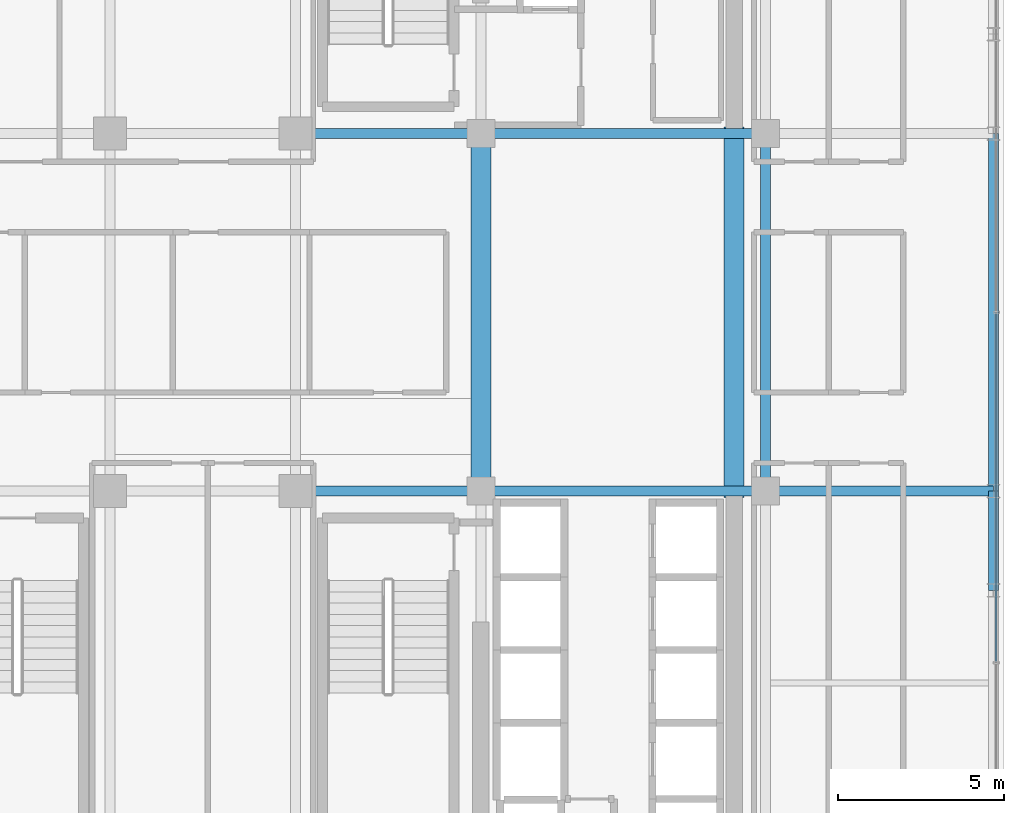
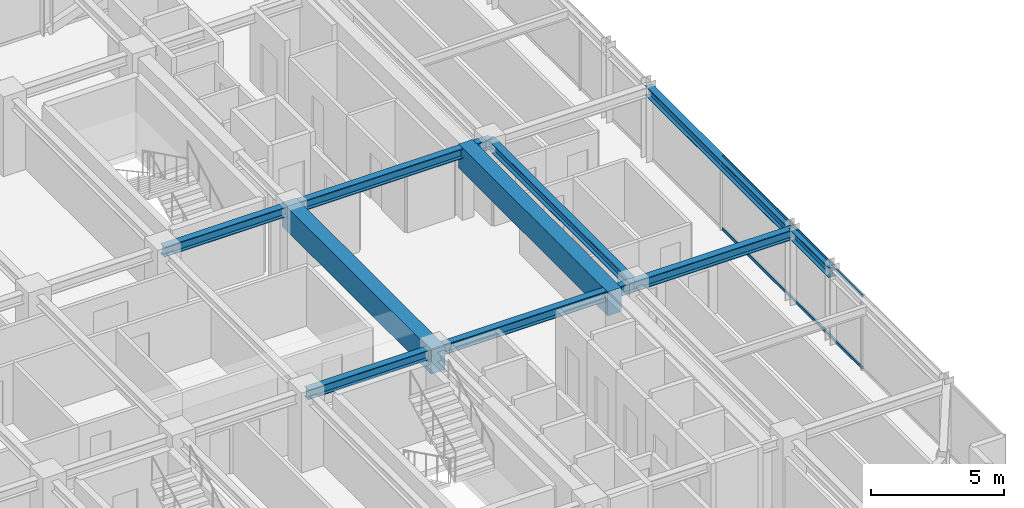
# One storey, part 16 of 36: 10 beams, 2 members, 1 element without a shape of its own.
"""IFC4 building model written with IfcOpenShell, lengths in metres."""

from ifc_helpers import new_model, si_unit, direction, frame, origin, origin_2d, place, context, subcontext, project, spatial, rectangle, hollow_rectangle, i_section, extrude, source, transform, mapped, material, material_profile, profile_set, type_object, element, aggregate, save


model = new_model("IFC4")

# Units and contexts
model_context = context("Model", 3, precision=1e-05, world=origin(), true_north=direction((0.0, 1.0)))
body_context = subcontext(model_context, "Body", "Model", "MODEL_VIEW")
ifc_project = project(units=[si_unit("LENGTHUNIT", "METRE"), si_unit("AREAUNIT", "SQUARE_METRE"), si_unit("VOLUMEUNIT", "CUBIC_METRE"), si_unit("PLANEANGLEUNIT", "RADIAN"), si_unit("MASSUNIT", "GRAM", prefix="KILO")], contexts=[model_context])

# Site, building, storey
site_placement = place(None, origin())
site = spatial("IfcSite", under=ifc_project, at=site_placement, CompositionType="ELEMENT")
building_placement = place(site_placement, origin())
building = spatial("IfcBuilding", under=site, at=building_placement, Name="Nahalor Promenade Grand Hotel", CompositionType="ELEMENT")
storey_placement = place(building_placement, frame((0.0, 0.0, 241.89990234375)))
storey = spatial("IfcBuildingStorey", under=building, at=storey_placement, Name="L62", CompositionType="ELEMENT", Elevation=241.89990234375)

# Beams
ifc_material_1 = material(Name="Concrete B-60 (C50/60)", Category="concrete")
ifc_material_profile_1 = material_profile(ifc_material_1, rectangle(XDim=0.6, YDim=1.1, at=origin_2d()), Name="RC 600x1100")
ifc_profile_set_1 = profile_set([ifc_material_profile_1], Name="Concrete B-60 (C50/60)")
beam_type_1 = type_object("IfcBeamType", Name="Beam-Lintel-RC1100", PredefinedType="LINTEL", material=ifc_profile_set_1)
shared_shape_1 = source(origin(), body_context, "Body", "SweptSolid", [
    extrude(rectangle(XDim=0.6, YDim=1.1, at=origin_2d()), origin(), (0.0, 0.0, 1.0), 11.2001953125),
])
for number, where, z_axis, x_axis, name in (
    (1, (8.39990234375, -5.60009765625, 2.860107421875), (0.0, 1.0, 0.0), (-1.0, 0.0, 0.0), "BM-L62-LINT-W"),
    (2, (16.050048828125, -5.60009765625, 2.860107421875), (0.0, 1.0, 0.0), (-1.0, 0.0, 0.0), "BM-L62-LINT-E"),
):
    element("IfcBeam", number, at=place(storey_placement, frame(where, z_axis=z_axis, x_axis=x_axis)), inside=storey, type_object=beam_type_1, Name=name, PredefinedType="LINTEL", context=body_context, shape_type="MappedRepresentation", body=[
        mapped(shared_shape_1, transform((0.0, 0.0, 0.0), scale=1.0)),
    ])
ifc_material_2 = material(Name="Steel S355JR", Category="steel")
ifc_material_profile_2 = material_profile(ifc_material_2, i_section(OverallWidth=0.3, OverallDepth=0.45, WebThickness=0.014, FlangeThickness=0.026, at=origin_2d()), Name="HEB 450")
ifc_profile_set_2 = profile_set([ifc_material_profile_2], Name="Steel S355JR")
beam_type_2 = type_object("IfcBeamType", Name="Beam-Spandrel-HEB450", PredefinedType="SPANDREL", material=ifc_profile_set_2)
shared_shape_2 = source(origin(), body_context, "Body", "SweptSolid", [
    extrude(i_section(OverallWidth=0.3, OverallDepth=0.45, WebThickness=0.014, FlangeThickness=0.026, at=origin_2d()), origin(), (0.0, 0.0, 1.0), 3.0),
])
beam_1_placement = place(storey_placement, frame((23.8798828125, -8.39990234375, 3.18505859375), z_axis=(0.0, 1.0, 0.0), x_axis=(-1.0, 0.0, 0.0)))
element("IfcBeam", 3, at=beam_1_placement, inside=storey, type_object=beam_type_2, Name="BM-L62-SP-E-1", PredefinedType="SPANDREL", context=body_context, shape_type="MappedRepresentation", body=[
    mapped(shared_shape_2, transform((0.0, 0.0, 0.0), scale=1.0)),
])
shared_shape_3 = source(origin(), body_context, "Body", "SweptSolid", [
    extrude(i_section(OverallWidth=0.3, OverallDepth=0.45, WebThickness=0.014, FlangeThickness=0.026, at=origin_2d()), origin(), (0.0, 0.0, 1.0), 10.7998046875),
])
beam_2_placement = place(storey_placement, frame((23.8798828125, -5.39990234375, 3.18505859375), z_axis=(0.0, 1.0, 0.0), x_axis=(-1.0, 0.0, 0.0)))
element("IfcBeam", 4, at=beam_2_placement, inside=storey, type_object=beam_type_2, Name="BM-L62-SP-E-2", PredefinedType="SPANDREL", context=body_context, shape_type="MappedRepresentation", body=[
    mapped(shared_shape_3, transform((0.0, 0.0, 0.0), scale=1.0)),
])
ifc_material_profile_3 = material_profile(ifc_material_2, i_section(OverallWidth=0.3, OverallDepth=0.45, WebThickness=0.014, FlangeThickness=0.026, at=origin_2d()), Name="HEB 450")
ifc_profile_set_3 = profile_set([ifc_material_profile_3], Name="Steel S355JR")
beam_type_3 = type_object("IfcBeamType", Name="Beam-Girder-HEB450", PredefinedType="BEAM", material=ifc_profile_set_3)
shared_shape_4 = source(origin(), body_context, "Body", "SweptSolid", [
    extrude(i_section(OverallWidth=0.3, OverallDepth=0.45, WebThickness=0.014, FlangeThickness=0.026, at=origin_2d()), origin(), (0.0, 0.0, 1.0), 6.8798828125),
])
beam_3_placement = place(storey_placement, frame((17.0, -5.39990234375, 3.18505859375), z_axis=(1.0, 0.0, 0.0), x_axis=(0.0, 1.0, 0.0)))
element("IfcBeam", 5, at=beam_3_placement, inside=storey, type_object=beam_type_3, Name="BM-L62-GX-1-6", PredefinedType="BEAM", context=body_context, shape_type="MappedRepresentation", body=[
    mapped(shared_shape_4, transform((0.0, 0.0, 0.0), scale=1.0)),
])
shared_shape_5 = source(origin(), body_context, "Body", "SweptSolid", [
    extrude(i_section(OverallWidth=0.3, OverallDepth=0.45, WebThickness=0.014, FlangeThickness=0.026, at=origin_2d()), origin(), (0.0, 0.0, 1.0), 8.60009765625),
])
for number, where, z_axis, x_axis, name in (
    (6, (8.39990234375, -5.39990234375, 3.18505859375), (1.0, 0.0, 0.0), (0.0, 1.0, 0.0), "BM-L62-GX-1-5"),
    (7, (8.39990234375, 5.39990234375, 3.18505859375), (1.0, 0.0, 0.0), (0.0, 1.0, 0.0), "BM-L62-GX-2-5"),
):
    element("IfcBeam", number, at=place(storey_placement, frame(where, z_axis=z_axis, x_axis=x_axis)), inside=storey, type_object=beam_type_3, Name=name, PredefinedType="BEAM", context=body_context, shape_type="MappedRepresentation", body=[
        mapped(shared_shape_5, transform((0.0, 0.0, 0.0), scale=1.0)),
    ])
shared_shape_6 = source(origin(), body_context, "Body", "SweptSolid", [
    extrude(i_section(OverallWidth=0.3, OverallDepth=0.45, WebThickness=0.014, FlangeThickness=0.026, at=origin_2d()), origin(), (0.0, 0.0, 1.0), 5.599853515625),
])
for number, where, z_axis, x_axis, name in (
    (8, (2.800048828125, -5.39990234375, 3.18505859375), (1.0, 0.0, 0.0), (0.0, 1.0, 0.0), "BM-L62-GX-1-4"),
    (9, (2.800048828125, 5.39990234375, 3.18505859375), (1.0, 0.0, 0.0), (0.0, 1.0, 0.0), "BM-L62-GX-2-4"),
):
    element("IfcBeam", number, at=place(storey_placement, frame(where, z_axis=z_axis, x_axis=x_axis)), inside=storey, type_object=beam_type_3, Name=name, PredefinedType="BEAM", context=body_context, shape_type="MappedRepresentation", body=[
        mapped(shared_shape_6, transform((0.0, 0.0, 0.0), scale=1.0)),
    ])
shared_shape_7 = source(origin(), body_context, "Body", "SweptSolid", [
    extrude(i_section(OverallWidth=0.3, OverallDepth=0.45, WebThickness=0.014, FlangeThickness=0.026, at=origin_2d()), origin(), (0.0, 0.0, 1.0), 10.7998046875),
])
beam_4_placement = place(storey_placement, frame((17.0, -5.39990234375, 3.18505859375), z_axis=(0.0, 1.0, 0.0), x_axis=(-1.0, 0.0, 0.0)))
element("IfcBeam", 10, at=beam_4_placement, inside=storey, type_object=beam_type_3, Name="BM-L62-GY-5-2", PredefinedType="BEAM", context=body_context, shape_type="MappedRepresentation", body=[
    mapped(shared_shape_7, transform((0.0, 0.0, 0.0), scale=1.0)),
])

# Curtain wall, members
ifc_material_3 = material(Name="Anodised Bronze Aluminium EN AW-6063 T6", Category="aluminium")
curtain_wall_type = type_object("IfcCurtainWallType", Name="CW2 Typical Hotel Flush Bronze Unitised Curtain Wall", PredefinedType="USERDEFINED", material=ifc_material_3)
curtain_wall_placement = place(storey_placement, origin())
curtain_wall = element("IfcCurtainWall", 11, at=curtain_wall_placement, inside=storey, type_object=curtain_wall_type, Name="L62 Curtain Wall CW-L62-E-1", ObjectType="UNITISED_CURTAIN_WALL", PredefinedType="USERDEFINED")
ifc_material_profile_4 = material_profile(ifc_material_3, hollow_rectangle(XDim=0.065, YDim=0.13, WallThickness=0.004, at=origin_2d()), Name="CWT 65x130x4")
ifc_profile_set_4 = profile_set([ifc_material_profile_4], Name="Anodised Bronze Aluminium EN AW-6063 T6")
member_type = type_object("IfcMemberType", Name="CWT2 Typical Bronze Transom 65x130", PredefinedType="USERDEFINED", material=ifc_profile_set_4)
shared_shape_8 = source(origin(), body_context, "Body", "SweptSolid", [
    extrude(hollow_rectangle(XDim=0.065, YDim=0.13, WallThickness=0.004, at=origin_2d()), origin(), (0.0, 0.0, 1.0), 10.51513671875),
])
member_1_placement = place(storey_placement, frame((23.9599609375, -10.547607421875, 0.065185546875), z_axis=(0.0, 1.0, 0.0), x_axis=(-1.0, 0.0, 0.0)))
member_1 = element("IfcMember", 12, at=member_1_placement, type_object=member_type, Name="CW-L62-E-1 Transom 1-0", ObjectType="TRANSOM", PredefinedType="USERDEFINED", context=body_context, shape_type="MappedRepresentation", body=[
    mapped(shared_shape_8, transform((0.0, 0.0, 0.0), scale=1.0)),
])
member_2_placement = place(storey_placement, frame((23.9599609375, -10.547607421875, 3.34521484375), z_axis=(0.0, 1.0, 0.0), x_axis=(-1.0, 0.0, 0.0)))
member_2 = element("IfcMember", 13, at=member_2_placement, type_object=member_type, Name="CW-L62-E-1 Transom 1-1", ObjectType="TRANSOM", PredefinedType="USERDEFINED", context=body_context, shape_type="MappedRepresentation", body=[
    mapped(shared_shape_8, transform((0.0, 0.0, 0.0), scale=1.0)),
])
aggregate(curtain_wall, [member_1, member_2])

save(model, "model.ifc")
